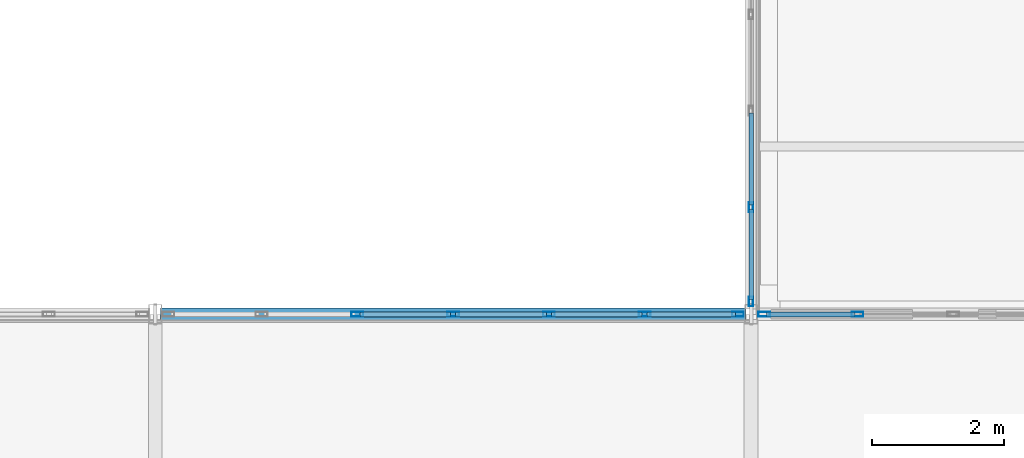
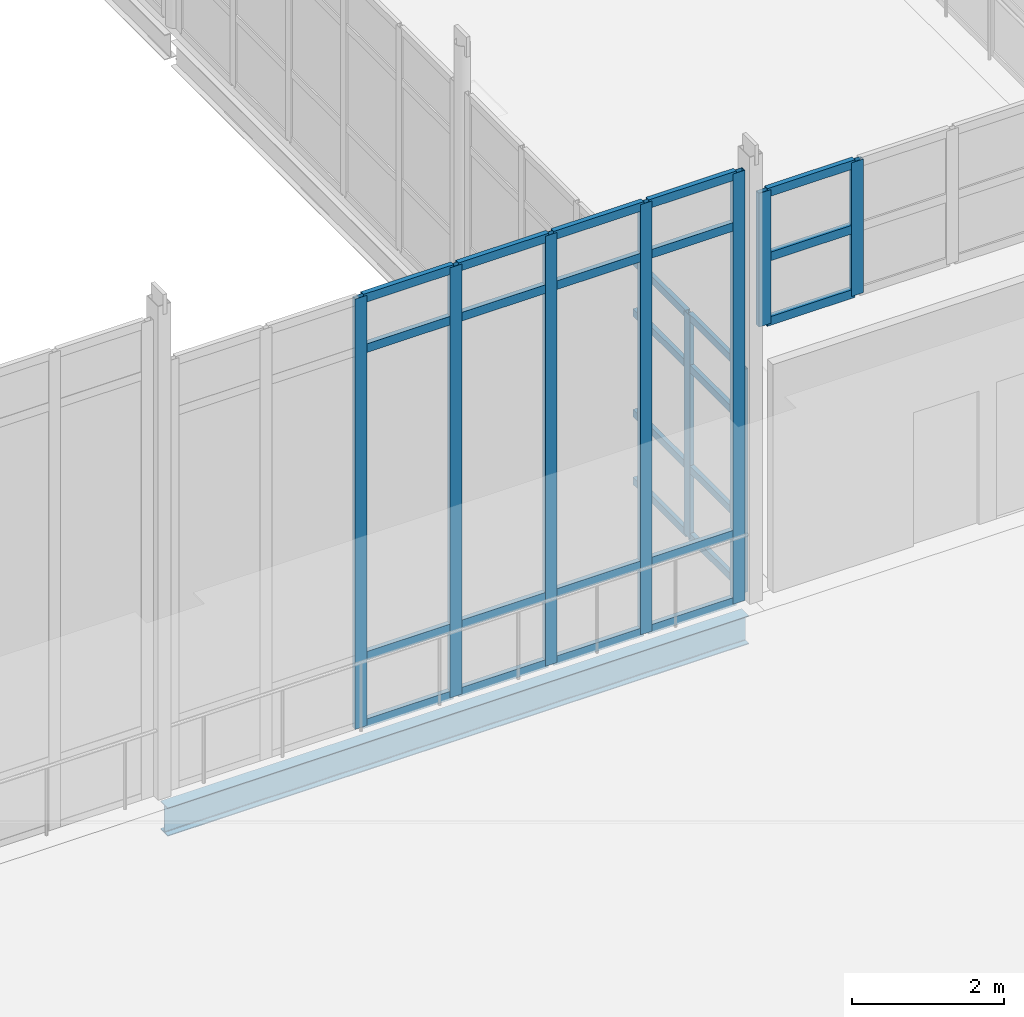
# One storey, part 54 of 166: 36 members, 1 beam, 3 elements without a shape of their own.
"""IFC4 building model written with IfcOpenShell, lengths in metres."""

import ifcopenshell
import ifcopenshell.guid

model = None  # the IFC model being written
_history = None  # IfcOwnerHistory: only IFC2X3 demands one
_inside = {}  # id of a spatial element -> (the spatial element, [elements in it])
_under = {}  # id of a project, library or spatial element -> (it, [spatial elements below it])
_declared = {}  # id of a project -> (the project, [libraries it declares])
_typed = {}  # id of a type object -> (the type object, [elements of that type])
_made_of = {}  # id of a material, layer set ... -> (it, [elements and type objects made of it])


def new_model(schema):
    """Start an empty IFC model of exactly this schema.

    Asked for "IFC4X3", IfcOpenShell would pick the latest addendum, in which some entities
    have other attributes; the version numbers below select the first issue.
    IFC2X3 requires an IfcOwnerHistory on every rooted entity: one is made here for all.
    """
    global model, _history
    if schema == "IFC4X3":
        model = ifcopenshell.file(schema_version=(4, 3, 0, 0))
    else:
        model = ifcopenshell.file(schema=schema)
    _inside.clear()
    _under.clear()
    _declared.clear()
    _typed.clear()
    _made_of.clear()
    _history = None
    if model.schema == "IFC2X3":
        org = make("IfcOrganization", Name="unknown")
        user = make(
            "IfcPersonAndOrganization",
            ThePerson=make("IfcPerson", FamilyName="unknown"),
            TheOrganization=org,
        )
        app = make(
            "IfcApplication",
            ApplicationDeveloper=org,
            Version="unknown",
            ApplicationFullName="unknown",
            ApplicationIdentifier="unknown",
        )
        _history = make(
            "IfcOwnerHistory",
            OwningUser=user,
            OwningApplication=app,
            ChangeAction="ADDED",
            CreationDate=0,
        )
    return model


def make(cls, **values):
    """One entity of the class cls with the attributes given. An attribute that is None is left unset."""
    return model.create_entity(
        cls, **{name: value for name, value in values.items() if value is not None}
    )


def rooted(cls, **values):
    """An entity with a GlobalId (a new one), such as an element, a storey or a relation."""
    return make(cls, GlobalId=ifcopenshell.guid.new(), OwnerHistory=_history, **values)


def si_unit(unit_type, name, prefix=None):
    """IfcSIUnit, for example si_unit("LENGTHUNIT", "METRE", prefix="MILLI")."""
    return make("IfcSIUnit", UnitType=unit_type, Prefix=prefix, Name=name)


def assignment(units):
    """IfcUnitAssignment: the units of a project."""
    return None if units is None else make("IfcUnitAssignment", Units=units)


def point(xyz):
    """IfcCartesianPoint."""
    return None if xyz is None else make("IfcCartesianPoint", Coordinates=xyz)


def direction(xyz):
    """IfcDirection."""
    return None if xyz is None else make("IfcDirection", DirectionRatios=xyz)


def frame(location, z_axis=None, x_axis=None):
    """IfcAxis2Placement3D, a coordinate frame: its origin and axes. An axis left out is left unset."""
    return make(
        "IfcAxis2Placement3D",
        Location=point(location),
        Axis=direction(z_axis),
        RefDirection=direction(x_axis),
    )


def frame_2d(location, x_axis=None):
    """IfcAxis2Placement2D, a coordinate frame in the plane: its origin and x axis."""
    return make(
        "IfcAxis2Placement2D", Location=point(location), RefDirection=direction(x_axis)
    )


def origin():
    """The frame at (0, 0, 0) with its axes left unset."""
    return frame((0.0, 0.0, 0.0))


def origin_2d():
    """The frame at (0, 0) in the plane with its x axis left unset."""
    return frame_2d((0.0, 0.0))


def place(relative_to, where):
    """IfcLocalPlacement: puts the frame where relative to a parent placement (None: the world)."""
    return make(
        "IfcLocalPlacement", PlacementRelTo=relative_to, RelativePlacement=where
    )


def context(
    kind, dimensions, precision=None, world=None, true_north=None, identifier=None
):
    """IfcGeometricRepresentationContext, for example the 3D "Model" context."""
    return make(
        "IfcGeometricRepresentationContext",
        ContextIdentifier=identifier,
        ContextType=kind,
        CoordinateSpaceDimension=dimensions,
        Precision=precision,
        WorldCoordinateSystem=world,
        TrueNorth=true_north,
    )


def subcontext(parent, identifier, kind, view, scale=None):
    """IfcGeometricRepresentationSubContext, for example "Body" below "Model"."""
    return make(
        "IfcGeometricRepresentationSubContext",
        ContextIdentifier=identifier,
        ContextType=kind,
        ParentContext=parent,
        TargetScale=scale,
        TargetView=view,
    )


def project(units=None, contexts=None):
    """IfcProject with its units and contexts."""
    return rooted(
        "IfcProject",
        Name="project",
        RepresentationContexts=contexts,
        UnitsInContext=assignment(units),
    )


def spatial(cls, under=None, at=None, **own):
    """A site, building, storey or space (cls), placed at a placement, below another one or the project."""
    s = rooted(cls, ObjectPlacement=at, **own)
    if under is not None:
        _under.setdefault(under.id(), (under, []))[1].append(s)
    return s


def profile(cls, at=None, kind="AREA", **sizes):
    """A parametric profile (cls). Its sizes go by their IFC names, for example OverallWidth=200.0."""
    return make(cls, ProfileType=kind, Position=at, **sizes)


def hollow_rectangle(**sizes):
    """IfcRectangleHollowProfileDef."""
    return profile("IfcRectangleHollowProfileDef", **sizes)


def i_section(**sizes):
    """IfcIShapeProfileDef."""
    return profile("IfcIShapeProfileDef", **sizes)


def extrude(swept, where, along, depth):
    """IfcExtrudedAreaSolid: the profile swept, set in the frame where, extruded along a direction by depth."""
    return make(
        "IfcExtrudedAreaSolid",
        SweptArea=swept,
        Position=where,
        ExtrudedDirection=direction(along),
        Depth=depth,
    )


def shape(context_of_items, identifier, shape_type, items):
    """IfcShapeRepresentation: the items that make up one representation, for example the "Body"."""
    return make(
        "IfcShapeRepresentation",
        ContextOfItems=context_of_items,
        RepresentationIdentifier=identifier,
        RepresentationType=shape_type,
        Items=items,
    )


def material(Name=None, Category=None):
    """IfcMaterial."""
    return make("IfcMaterial", Name=Name, Category=Category)


def material_profile(
    of_material, cross_section, Name=None, Category=None, Priority=None
):
    """IfcMaterialProfile: a cross section and its material."""
    return make(
        "IfcMaterialProfile",
        Name=Name,
        Material=of_material,
        Profile=cross_section,
        Priority=Priority,
        Category=Category,
    )


def profile_set(profiles, Name=None, composite=None):
    """IfcMaterialProfileSet."""
    return make(
        "IfcMaterialProfileSet",
        Name=Name,
        MaterialProfiles=profiles,
        CompositeProfile=composite,
    )


def made_of(thing, what):
    """Note that an element or type object is made of a material, layer set ...; save() writes the relation."""
    if what is not None:
        _made_of.setdefault(what.id(), (what, []))[1].append(thing)
    return thing


def type_object(cls, material=None, **own):
    """A type object (cls), such as IfcWallType, which elements share."""
    return made_of(rooted(cls, **own), material)


def element(
    cls,
    number,
    at=None,
    inside=None,
    cuts=None,
    type_object=None,
    material=None,
    context=None,
    identifier="Body",
    shape_type=None,
    held_by="IfcProductDefinitionShape",
    body=None,
    shapes=None,
    **own,
):
    """One element of the class cls, such as IfcWall. Its Tag is "e" and its number.

    at: its placement. inside: the storey or other place that contains it. cuts: it is an
    opening in that element (IfcRelVoidsElement). A single representation is given by context,
    identifier, shape_type and body (its items); several are given by shapes. held_by: the class
    of the entity that holds the representations. save() writes the other relations.
    """
    e = rooted(cls, Tag="e%d" % number, ObjectPlacement=at, **own)
    if body is not None:
        shapes = [shape(context, identifier, shape_type, body)]
    if shapes is not None:
        e.Representation = make(held_by, Representations=shapes)
    if inside is not None:
        _inside.setdefault(inside.id(), (inside, []))[1].append(e)
    if cuts is not None:
        rooted(
            "IfcRelVoidsElement", RelatingBuildingElement=cuts, RelatedOpeningElement=e
        )
    if type_object is not None:
        _typed.setdefault(type_object.id(), (type_object, []))[1].append(e)
    return made_of(e, material)


def aggregate(whole, parts):
    """IfcRelAggregates: a whole, such as a stair, and the parts it consists of."""
    return rooted("IfcRelAggregates", RelatingObject=whole, RelatedObjects=parts)


def save(model, path):
    """Write the relations noted so far, then the file.

    IfcRelAggregates (storeys below a building ...), IfcRelContainedInSpatialStructure (elements
    in a storey), IfcRelDefinesByType, IfcRelAssociatesMaterial and IfcRelDeclares: one each for
    every whole, place, type object, material and project.
    """
    for whole, parts in _under.values():
        aggregate(whole, parts)
    for where, things in _inside.values():
        rooted(
            "IfcRelContainedInSpatialStructure",
            RelatedElements=things,
            RelatingStructure=where,
        )
    for kind, things in _typed.values():
        rooted("IfcRelDefinesByType", RelatedObjects=things, RelatingType=kind)
    for what, things in _made_of.values():
        rooted("IfcRelAssociatesMaterial", RelatedObjects=things, RelatingMaterial=what)
    for by, libraries in _declared.values():
        rooted("IfcRelDeclares", RelatingContext=by, RelatedDefinitions=libraries)
    model.write(path)


model = new_model("IFC4")

# Units and contexts
model_context = context("Model", 3, precision=1e-05, world=origin(), true_north=direction((0.0, 1.0)))
body_context = subcontext(model_context, "Body", "Model", "MODEL_VIEW")
ifc_project = project(units=[si_unit("LENGTHUNIT", "METRE"), si_unit("AREAUNIT", "SQUARE_METRE"), si_unit("VOLUMEUNIT", "CUBIC_METRE"), si_unit("PLANEANGLEUNIT", "RADIAN"), si_unit("MASSUNIT", "GRAM", prefix="KILO")], contexts=[model_context])

# Site, building, storey
site_placement = place(None, origin())
site = spatial("IfcSite", under=ifc_project, at=site_placement, CompositionType="ELEMENT")
building_placement = place(site_placement, origin())
building = spatial("IfcBuilding", under=site, at=building_placement, Name="Caisbarro Railhouse Central Library", CompositionType="ELEMENT")
storey_placement = place(building_placement, frame((0.0, 0.0, 9.360107421875)))
storey = spatial("IfcBuildingStorey", under=building, at=storey_placement, Name="L02", CompositionType="ELEMENT", Elevation=9.360107421875)

# Beam
ifc_material_1 = material(Name="Steel ASTM A572 Grade 50", Category="steel")
ifc_material_profile_1 = material_profile(ifc_material_1, i_section(OverallWidth=0.18994140625, OverallDepth=0.45703125, WebThickness=0.009033203125, FlangeThickness=0.014404296875, FilletRadius=0.01806640625, at=origin_2d()), Name="W460X74.0")
ifc_profile_set_1 = profile_set([ifc_material_profile_1], Name="Steel ASTM A572 Grade 50")
beam_type = type_object("IfcBeamType", Name="BM-SP01", PredefinedType="SPANDREL", material=ifc_profile_set_1)
beam_placement = place(storey_placement, frame((45.080078125, 60.800048828125, -0.448486328125), z_axis=(1.0, 0.0, 0.0), x_axis=(0.0, 1.0, 0.0)))
element("IfcBeam", 1, at=beam_placement, inside=storey, type_object=beam_type, Name="SP01 beam L02 #1385", PredefinedType="SPANDREL", context=body_context, shape_type="SweptSolid", body=[
    extrude(i_section(OverallWidth=0.18994140625, OverallDepth=0.45703125, WebThickness=0.009033203125, FlangeThickness=0.014404296875, FilletRadius=0.01806640625, at=origin_2d()), origin(), (0.0, 0.0, 1.0), 8.83984375),
])

# Curtain wall, members
ifc_material_2 = material(Name="Anodised architectural aluminium", Category="aluminium")
curtain_wall_type_1 = type_object("IfcCurtainWallType", Name="CW-CW04", PredefinedType="NOTDEFINED", material=ifc_material_2)
curtain_wall_1_placement = place(storey_placement, origin())
curtain_wall_1 = element("IfcCurtainWall", 2, at=curtain_wall_1_placement, inside=storey, type_object=curtain_wall_type_1, Name="CW04 curtain wall L02 #16", PredefinedType="NOTDEFINED")
ifc_material_profile_2 = material_profile(ifc_material_2, hollow_rectangle(XDim=0.074951171875, YDim=0.179931640625, WallThickness=0.00439453125, at=origin_2d()), Name="ALU-MUL-75X180")
ifc_profile_set_2 = profile_set([ifc_material_profile_2], Name="Anodised architectural aluminium")
member_type_1 = type_object("IfcMemberType", Name="CWM-M01", PredefinedType="MULLION", material=ifc_profile_set_2)
member_1_placement = place(storey_placement, frame((48.05322265625, 60.800048828125, 0.0), z_axis=(0.0, 0.0, 1.0), x_axis=(0.0, 1.0, 0.0)))
member_1 = element("IfcMember", 3, at=member_1_placement, type_object=member_type_1, Name="CW04 mullion 3", PredefinedType="MULLION", context=body_context, shape_type="SweptSolid", body=[
    extrude(hollow_rectangle(XDim=0.074951171875, YDim=0.179931640625, WallThickness=0.00439453125, at=origin_2d()), origin(), (0.0, 0.0, 1.0), 6.919921875),
])
member_2_placement = place(storey_placement, frame((49.5, 60.800048828125, 0.0), z_axis=(0.0, 0.0, 1.0), x_axis=(0.0, 1.0, 0.0)))
member_2 = element("IfcMember", 4, at=member_2_placement, type_object=member_type_1, Name="CW04 mullion 4", PredefinedType="MULLION", context=body_context, shape_type="SweptSolid", body=[
    extrude(hollow_rectangle(XDim=0.074951171875, YDim=0.179931640625, WallThickness=0.00439453125, at=origin_2d()), origin(), (0.0, 0.0, 1.0), 6.919921875),
])
member_3_placement = place(storey_placement, frame((50.94677734375, 60.800048828125, 0.0), z_axis=(0.0, 0.0, 1.0), x_axis=(0.0, 1.0, 0.0)))
member_3 = element("IfcMember", 5, at=member_3_placement, type_object=member_type_1, Name="CW04 mullion 5", PredefinedType="MULLION", context=body_context, shape_type="SweptSolid", body=[
    extrude(hollow_rectangle(XDim=0.074951171875, YDim=0.179931640625, WallThickness=0.00439453125, at=origin_2d()), origin(), (0.0, 0.0, 1.0), 6.919921875),
])
member_4_placement = place(storey_placement, frame((52.393310546875, 60.800048828125, 0.0), z_axis=(0.0, 0.0, 1.0), x_axis=(0.0, 1.0, 0.0)))
member_4 = element("IfcMember", 6, at=member_4_placement, type_object=member_type_1, Name="CW04 mullion 6", PredefinedType="MULLION", context=body_context, shape_type="SweptSolid", body=[
    extrude(hollow_rectangle(XDim=0.074951171875, YDim=0.179931640625, WallThickness=0.00439453125, at=origin_2d()), origin(), (0.0, 0.0, 1.0), 6.919921875),
])
member_5_placement = place(storey_placement, frame((53.802490234375, 60.800048828125, 0.0), z_axis=(0.0, 0.0, 1.0), x_axis=(0.0, 1.0, 0.0)))
member_5 = element("IfcMember", 7, at=member_5_placement, type_object=member_type_1, Name="CW04 mullion 7", PredefinedType="MULLION", context=body_context, shape_type="SweptSolid", body=[
    extrude(hollow_rectangle(XDim=0.074951171875, YDim=0.179931640625, WallThickness=0.00439453125, at=origin_2d()), origin(), (0.0, 0.0, 1.0), 6.919921875),
])

curtain_wall_2_placement = place(storey_placement, origin())
curtain_wall_2 = element("IfcCurtainWall", 8, at=curtain_wall_2_placement, inside=storey, type_object=curtain_wall_type_1, Name="CW04 curtain wall L02 #18", PredefinedType="NOTDEFINED")
member_6_placement = place(storey_placement, frame((54.197509765625, 60.800048828125, 4.31982421875), z_axis=(0.0, 0.0, 1.0), x_axis=(0.0, 1.0, 0.0)))
member_6 = element("IfcMember", 9, at=member_6_placement, type_object=member_type_1, Name="CW04 mullion 1", PredefinedType="MULLION", context=body_context, shape_type="SweptSolid", body=[
    extrude(hollow_rectangle(XDim=0.074951171875, YDim=0.179931640625, WallThickness=0.00439453125, at=origin_2d()), origin(), (0.0, 0.0, 1.0), 2.150146484375),
])
member_7_placement = place(storey_placement, frame((55.606689453125, 60.800048828125, 4.31982421875), z_axis=(0.0, 0.0, 1.0), x_axis=(0.0, 1.0, 0.0)))
member_7 = element("IfcMember", 10, at=member_7_placement, type_object=member_type_1, Name="CW04 mullion 2", PredefinedType="MULLION", context=body_context, shape_type="SweptSolid", body=[
    extrude(hollow_rectangle(XDim=0.074951171875, YDim=0.179931640625, WallThickness=0.00439453125, at=origin_2d()), origin(), (0.0, 0.0, 1.0), 2.150146484375),
])

curtain_wall_type_2 = type_object("IfcCurtainWallType", Name="CW-CW03", PredefinedType="NOTDEFINED", material=ifc_material_2)
curtain_wall_3_placement = place(storey_placement, origin())
curtain_wall_3 = element("IfcCurtainWall", 11, at=curtain_wall_3_placement, inside=storey, type_object=curtain_wall_type_2, Name="CW03 curtain wall L02 #202", PredefinedType="NOTDEFINED")
ifc_material_profile_3 = material_profile(ifc_material_2, hollow_rectangle(XDim=0.06494140625, YDim=0.14990234375, WallThickness=0.00390625, at=origin_2d()), Name="ALU-MUL-65X150")
ifc_profile_set_3 = profile_set([ifc_material_profile_3], Name="Anodised architectural aluminium")
member_type_2 = type_object("IfcMemberType", Name="CWM-M02", PredefinedType="MULLION", material=ifc_profile_set_3)
member_8_placement = place(storey_placement, frame((54.0, 60.992431640625, 0.0), z_axis=(0.0, 0.0, 1.0), x_axis=(-1.0, 0.0, 0.0)))
member_8 = element("IfcMember", 12, at=member_8_placement, type_object=member_type_2, Name="CW03 mullion 1", PredefinedType="MULLION", context=body_context, shape_type="SweptSolid", body=[
    extrude(hollow_rectangle(XDim=0.06494140625, YDim=0.14990234375, WallThickness=0.00390625, at=origin_2d()), origin(), (0.0, 0.0, 1.0), 3.58984375),
])
member_9_placement = place(storey_placement, frame((54.0, 62.416015625, 0.0), z_axis=(0.0, 0.0, 1.0), x_axis=(-1.0, 0.0, 0.0)))
member_9 = element("IfcMember", 13, at=member_9_placement, type_object=member_type_2, Name="CW03 mullion 2", PredefinedType="MULLION", context=body_context, shape_type="SweptSolid", body=[
    extrude(hollow_rectangle(XDim=0.06494140625, YDim=0.14990234375, WallThickness=0.00390625, at=origin_2d()), origin(), (0.0, 0.0, 1.0), 3.58984375),
])

# Member
ifc_material_profile_4 = material_profile(ifc_material_2, hollow_rectangle(XDim=0.074951171875, YDim=0.139892578125, WallThickness=0.00390625, at=origin_2d()), Name="ALU-TRN-75X140")
ifc_profile_set_4 = profile_set([ifc_material_profile_4], Name="Anodised architectural aluminium")
member_type_3 = type_object("IfcMemberType", Name="CWT-T01", PredefinedType="USERDEFINED", material=ifc_profile_set_4)
member_10_placement = place(storey_placement, frame((48.0908203125, 60.800048828125, 0.037353515625), z_axis=(1.0, 0.0, 0.0), x_axis=(0.0, 1.0, 0.0)))
member_10 = element("IfcMember", 14, at=member_10_placement, type_object=member_type_3, Name="CW04 transom 3.1", ObjectType="TRANSOM", PredefinedType="USERDEFINED", context=body_context, shape_type="SweptSolid", body=[
    extrude(hollow_rectangle(XDim=0.074951171875, YDim=0.139892578125, WallThickness=0.00390625, at=origin_2d()), origin(), (0.0, 0.0, 1.0), 1.37158203125),
])

member_11_placement = place(storey_placement, frame((48.0908203125, 60.800048828125, 1.119873046875), z_axis=(1.0, 0.0, 0.0), x_axis=(0.0, 1.0, 0.0)))
member_11 = element("IfcMember", 15, at=member_11_placement, type_object=member_type_3, Name="CW04 transom 3.2", ObjectType="TRANSOM", PredefinedType="USERDEFINED", context=body_context, shape_type="SweptSolid", body=[
    extrude(hollow_rectangle(XDim=0.074951171875, YDim=0.139892578125, WallThickness=0.00390625, at=origin_2d()), origin(), (0.0, 0.0, 1.0), 1.37158203125),
])

member_12_placement = place(storey_placement, frame((48.0908203125, 60.800048828125, 6.06982421875), z_axis=(1.0, 0.0, 0.0), x_axis=(0.0, 1.0, 0.0)))
member_12 = element("IfcMember", 16, at=member_12_placement, type_object=member_type_3, Name="CW04 transom 3.3", ObjectType="TRANSOM", PredefinedType="USERDEFINED", context=body_context, shape_type="SweptSolid", body=[
    extrude(hollow_rectangle(XDim=0.074951171875, YDim=0.139892578125, WallThickness=0.00390625, at=origin_2d()), origin(), (0.0, 0.0, 1.0), 1.37158203125),
])

member_13_placement = place(storey_placement, frame((48.0908203125, 60.800048828125, 6.88232421875), z_axis=(1.0, 0.0, 0.0), x_axis=(0.0, 1.0, 0.0)))
member_13 = element("IfcMember", 17, at=member_13_placement, type_object=member_type_3, Name="CW04 transom 3.4", ObjectType="TRANSOM", PredefinedType="USERDEFINED", context=body_context, shape_type="SweptSolid", body=[
    extrude(hollow_rectangle(XDim=0.074951171875, YDim=0.139892578125, WallThickness=0.00390625, at=origin_2d()), origin(), (0.0, 0.0, 1.0), 1.37158203125),
])

member_14_placement = place(storey_placement, frame((49.53759765625, 60.800048828125, 0.037353515625), z_axis=(1.0, 0.0, 0.0), x_axis=(0.0, 1.0, 0.0)))
member_14 = element("IfcMember", 18, at=member_14_placement, type_object=member_type_3, Name="CW04 transom 4.1", ObjectType="TRANSOM", PredefinedType="USERDEFINED", context=body_context, shape_type="SweptSolid", body=[
    extrude(hollow_rectangle(XDim=0.074951171875, YDim=0.139892578125, WallThickness=0.00390625, at=origin_2d()), origin(), (0.0, 0.0, 1.0), 1.37158203125),
])

member_15_placement = place(storey_placement, frame((49.53759765625, 60.800048828125, 1.119873046875), z_axis=(1.0, 0.0, 0.0), x_axis=(0.0, 1.0, 0.0)))
member_15 = element("IfcMember", 19, at=member_15_placement, type_object=member_type_3, Name="CW04 transom 4.2", ObjectType="TRANSOM", PredefinedType="USERDEFINED", context=body_context, shape_type="SweptSolid", body=[
    extrude(hollow_rectangle(XDim=0.074951171875, YDim=0.139892578125, WallThickness=0.00390625, at=origin_2d()), origin(), (0.0, 0.0, 1.0), 1.37158203125),
])

member_16_placement = place(storey_placement, frame((49.53759765625, 60.800048828125, 6.06982421875), z_axis=(1.0, 0.0, 0.0), x_axis=(0.0, 1.0, 0.0)))
member_16 = element("IfcMember", 20, at=member_16_placement, type_object=member_type_3, Name="CW04 transom 4.3", ObjectType="TRANSOM", PredefinedType="USERDEFINED", context=body_context, shape_type="SweptSolid", body=[
    extrude(hollow_rectangle(XDim=0.074951171875, YDim=0.139892578125, WallThickness=0.00390625, at=origin_2d()), origin(), (0.0, 0.0, 1.0), 1.37158203125),
])

member_17_placement = place(storey_placement, frame((49.53759765625, 60.800048828125, 6.88232421875), z_axis=(1.0, 0.0, 0.0), x_axis=(0.0, 1.0, 0.0)))
member_17 = element("IfcMember", 21, at=member_17_placement, type_object=member_type_3, Name="CW04 transom 4.4", ObjectType="TRANSOM", PredefinedType="USERDEFINED", context=body_context, shape_type="SweptSolid", body=[
    extrude(hollow_rectangle(XDim=0.074951171875, YDim=0.139892578125, WallThickness=0.00390625, at=origin_2d()), origin(), (0.0, 0.0, 1.0), 1.37158203125),
])

member_18_placement = place(storey_placement, frame((50.984130859375, 60.800048828125, 0.037353515625), z_axis=(1.0, 0.0, 0.0), x_axis=(0.0, 1.0, 0.0)))
member_18 = element("IfcMember", 22, at=member_18_placement, type_object=member_type_3, Name="CW04 transom 5.1", ObjectType="TRANSOM", PredefinedType="USERDEFINED", context=body_context, shape_type="SweptSolid", body=[
    extrude(hollow_rectangle(XDim=0.074951171875, YDim=0.139892578125, WallThickness=0.00390625, at=origin_2d()), origin(), (0.0, 0.0, 1.0), 1.37158203125),
])

member_19_placement = place(storey_placement, frame((50.984130859375, 60.800048828125, 1.119873046875), z_axis=(1.0, 0.0, 0.0), x_axis=(0.0, 1.0, 0.0)))
member_19 = element("IfcMember", 23, at=member_19_placement, type_object=member_type_3, Name="CW04 transom 5.2", ObjectType="TRANSOM", PredefinedType="USERDEFINED", context=body_context, shape_type="SweptSolid", body=[
    extrude(hollow_rectangle(XDim=0.074951171875, YDim=0.139892578125, WallThickness=0.00390625, at=origin_2d()), origin(), (0.0, 0.0, 1.0), 1.37158203125),
])

member_20_placement = place(storey_placement, frame((50.984130859375, 60.800048828125, 6.06982421875), z_axis=(1.0, 0.0, 0.0), x_axis=(0.0, 1.0, 0.0)))
member_20 = element("IfcMember", 24, at=member_20_placement, type_object=member_type_3, Name="CW04 transom 5.3", ObjectType="TRANSOM", PredefinedType="USERDEFINED", context=body_context, shape_type="SweptSolid", body=[
    extrude(hollow_rectangle(XDim=0.074951171875, YDim=0.139892578125, WallThickness=0.00390625, at=origin_2d()), origin(), (0.0, 0.0, 1.0), 1.37158203125),
])

member_21_placement = place(storey_placement, frame((50.984130859375, 60.800048828125, 6.88232421875), z_axis=(1.0, 0.0, 0.0), x_axis=(0.0, 1.0, 0.0)))
member_21 = element("IfcMember", 25, at=member_21_placement, type_object=member_type_3, Name="CW04 transom 5.4", ObjectType="TRANSOM", PredefinedType="USERDEFINED", context=body_context, shape_type="SweptSolid", body=[
    extrude(hollow_rectangle(XDim=0.074951171875, YDim=0.139892578125, WallThickness=0.00390625, at=origin_2d()), origin(), (0.0, 0.0, 1.0), 1.37158203125),
])

member_22_placement = place(storey_placement, frame((52.430908203125, 60.800048828125, 0.037353515625), z_axis=(1.0, 0.0, 0.0), x_axis=(0.0, 1.0, 0.0)))
member_22 = element("IfcMember", 26, at=member_22_placement, type_object=member_type_3, Name="CW04 transom 6.1", ObjectType="TRANSOM", PredefinedType="USERDEFINED", context=body_context, shape_type="SweptSolid", body=[
    extrude(hollow_rectangle(XDim=0.074951171875, YDim=0.139892578125, WallThickness=0.00390625, at=origin_2d()), origin(), (0.0, 0.0, 1.0), 1.333984375),
])

member_23_placement = place(storey_placement, frame((52.430908203125, 60.800048828125, 1.119873046875), z_axis=(1.0, 0.0, 0.0), x_axis=(0.0, 1.0, 0.0)))
member_23 = element("IfcMember", 27, at=member_23_placement, type_object=member_type_3, Name="CW04 transom 6.2", ObjectType="TRANSOM", PredefinedType="USERDEFINED", context=body_context, shape_type="SweptSolid", body=[
    extrude(hollow_rectangle(XDim=0.074951171875, YDim=0.139892578125, WallThickness=0.00390625, at=origin_2d()), origin(), (0.0, 0.0, 1.0), 1.333984375),
])

member_24_placement = place(storey_placement, frame((52.430908203125, 60.800048828125, 6.06982421875), z_axis=(1.0, 0.0, 0.0), x_axis=(0.0, 1.0, 0.0)))
member_24 = element("IfcMember", 28, at=member_24_placement, type_object=member_type_3, Name="CW04 transom 6.3", ObjectType="TRANSOM", PredefinedType="USERDEFINED", context=body_context, shape_type="SweptSolid", body=[
    extrude(hollow_rectangle(XDim=0.074951171875, YDim=0.139892578125, WallThickness=0.00390625, at=origin_2d()), origin(), (0.0, 0.0, 1.0), 1.333984375),
])

member_25_placement = place(storey_placement, frame((52.430908203125, 60.800048828125, 6.88232421875), z_axis=(1.0, 0.0, 0.0), x_axis=(0.0, 1.0, 0.0)))
member_25 = element("IfcMember", 29, at=member_25_placement, type_object=member_type_3, Name="CW04 transom 6.4", ObjectType="TRANSOM", PredefinedType="USERDEFINED", context=body_context, shape_type="SweptSolid", body=[
    extrude(hollow_rectangle(XDim=0.074951171875, YDim=0.139892578125, WallThickness=0.00390625, at=origin_2d()), origin(), (0.0, 0.0, 1.0), 1.333984375),
])

aggregate(curtain_wall_1, [member_1, member_2, member_3, member_4, member_5, member_10, member_11, member_12, member_13, member_14, member_15, member_16, member_17, member_18, member_19, member_20, member_21, member_22, member_23, member_24, member_25])

member_26_placement = place(storey_placement, frame((54.235107421875, 60.800048828125, 4.357421875), z_axis=(1.0, 0.0, 0.0), x_axis=(0.0, 1.0, 0.0)))
member_26 = element("IfcMember", 30, at=member_26_placement, type_object=member_type_3, Name="CW04 transom 1.1", ObjectType="TRANSOM", PredefinedType="USERDEFINED", context=body_context, shape_type="SweptSolid", body=[
    extrude(hollow_rectangle(XDim=0.074951171875, YDim=0.139892578125, WallThickness=0.00390625, at=origin_2d()), origin(), (0.0, 0.0, 1.0), 1.333984375),
])

member_27_placement = place(storey_placement, frame((54.235107421875, 60.800048828125, 5.394775390625), z_axis=(1.0, 0.0, 0.0), x_axis=(0.0, 1.0, 0.0)))
member_27 = element("IfcMember", 31, at=member_27_placement, type_object=member_type_3, Name="CW04 transom 1.2", ObjectType="TRANSOM", PredefinedType="USERDEFINED", context=body_context, shape_type="SweptSolid", body=[
    extrude(hollow_rectangle(XDim=0.074951171875, YDim=0.139892578125, WallThickness=0.00390625, at=origin_2d()), origin(), (0.0, 0.0, 1.0), 1.333984375),
])

member_28_placement = place(storey_placement, frame((54.235107421875, 60.800048828125, 6.432373046875), z_axis=(1.0, 0.0, 0.0), x_axis=(0.0, 1.0, 0.0)))
member_28 = element("IfcMember", 32, at=member_28_placement, type_object=member_type_3, Name="CW04 transom 1.3", ObjectType="TRANSOM", PredefinedType="USERDEFINED", context=body_context, shape_type="SweptSolid", body=[
    extrude(hollow_rectangle(XDim=0.074951171875, YDim=0.139892578125, WallThickness=0.00390625, at=origin_2d()), origin(), (0.0, 0.0, 1.0), 1.333984375),
])

aggregate(curtain_wall_2, [member_6, member_7, member_26, member_27, member_28])

ifc_material_profile_5 = material_profile(ifc_material_2, hollow_rectangle(XDim=0.06494140625, YDim=0.1201171875, WallThickness=0.00341796875, at=origin_2d()), Name="ALU-TRN-65X120")
ifc_profile_set_5 = profile_set([ifc_material_profile_5], Name="Anodised architectural aluminium")
member_type_4 = type_object("IfcMemberType", Name="CWT-T02", PredefinedType="USERDEFINED", material=ifc_profile_set_5)
member_29_placement = place(storey_placement, frame((54.0, 61.02490234375, 0.032470703125), z_axis=(0.0, 1.0, 0.0), x_axis=(-1.0, 0.0, 0.0)))
member_29 = element("IfcMember", 33, at=member_29_placement, type_object=member_type_4, Name="CW03 transom 1.1", ObjectType="TRANSOM", PredefinedType="USERDEFINED", context=body_context, shape_type="SweptSolid", body=[
    extrude(hollow_rectangle(XDim=0.06494140625, YDim=0.1201171875, WallThickness=0.00341796875, at=origin_2d()), origin(), (0.0, 0.0, 1.0), 1.358642578125),
])

member_30_placement = place(storey_placement, frame((54.0, 61.02490234375, 1.119873046875), z_axis=(0.0, 1.0, 0.0), x_axis=(-1.0, 0.0, 0.0)))
member_30 = element("IfcMember", 34, at=member_30_placement, type_object=member_type_4, Name="CW03 transom 1.2", ObjectType="TRANSOM", PredefinedType="USERDEFINED", context=body_context, shape_type="SweptSolid", body=[
    extrude(hollow_rectangle(XDim=0.06494140625, YDim=0.1201171875, WallThickness=0.00341796875, at=origin_2d()), origin(), (0.0, 0.0, 1.0), 1.358642578125),
])

member_31_placement = place(storey_placement, frame((54.0, 61.02490234375, 2.739990234375), z_axis=(0.0, 1.0, 0.0), x_axis=(-1.0, 0.0, 0.0)))
member_31 = element("IfcMember", 35, at=member_31_placement, type_object=member_type_4, Name="CW03 transom 1.3", ObjectType="TRANSOM", PredefinedType="USERDEFINED", context=body_context, shape_type="SweptSolid", body=[
    extrude(hollow_rectangle(XDim=0.06494140625, YDim=0.1201171875, WallThickness=0.00341796875, at=origin_2d()), origin(), (0.0, 0.0, 1.0), 1.358642578125),
])

member_32_placement = place(storey_placement, frame((54.0, 61.02490234375, 3.557373046875), z_axis=(0.0, 1.0, 0.0), x_axis=(-1.0, 0.0, 0.0)))
member_32 = element("IfcMember", 36, at=member_32_placement, type_object=member_type_4, Name="CW03 transom 1.4", ObjectType="TRANSOM", PredefinedType="USERDEFINED", context=body_context, shape_type="SweptSolid", body=[
    extrude(hollow_rectangle(XDim=0.06494140625, YDim=0.1201171875, WallThickness=0.00341796875, at=origin_2d()), origin(), (0.0, 0.0, 1.0), 1.358642578125),
])

member_33_placement = place(storey_placement, frame((54.0, 62.448486328125, 0.032470703125), z_axis=(0.0, 1.0, 0.0), x_axis=(-1.0, 0.0, 0.0)))
member_33 = element("IfcMember", 37, at=member_33_placement, type_object=member_type_4, Name="CW03 transom 2.1", ObjectType="TRANSOM", PredefinedType="USERDEFINED", context=body_context, shape_type="SweptSolid", body=[
    extrude(hollow_rectangle(XDim=0.06494140625, YDim=0.1201171875, WallThickness=0.00341796875, at=origin_2d()), origin(), (0.0, 0.0, 1.0), 1.39111328125),
])

member_34_placement = place(storey_placement, frame((54.0, 62.448486328125, 1.119873046875), z_axis=(0.0, 1.0, 0.0), x_axis=(-1.0, 0.0, 0.0)))
member_34 = element("IfcMember", 38, at=member_34_placement, type_object=member_type_4, Name="CW03 transom 2.2", ObjectType="TRANSOM", PredefinedType="USERDEFINED", context=body_context, shape_type="SweptSolid", body=[
    extrude(hollow_rectangle(XDim=0.06494140625, YDim=0.1201171875, WallThickness=0.00341796875, at=origin_2d()), origin(), (0.0, 0.0, 1.0), 1.39111328125),
])

member_35_placement = place(storey_placement, frame((54.0, 62.448486328125, 2.739990234375), z_axis=(0.0, 1.0, 0.0), x_axis=(-1.0, 0.0, 0.0)))
member_35 = element("IfcMember", 39, at=member_35_placement, type_object=member_type_4, Name="CW03 transom 2.3", ObjectType="TRANSOM", PredefinedType="USERDEFINED", context=body_context, shape_type="SweptSolid", body=[
    extrude(hollow_rectangle(XDim=0.06494140625, YDim=0.1201171875, WallThickness=0.00341796875, at=origin_2d()), origin(), (0.0, 0.0, 1.0), 1.39111328125),
])

member_36_placement = place(storey_placement, frame((54.0, 62.448486328125, 3.557373046875), z_axis=(0.0, 1.0, 0.0), x_axis=(-1.0, 0.0, 0.0)))
member_36 = element("IfcMember", 40, at=member_36_placement, type_object=member_type_4, Name="CW03 transom 2.4", ObjectType="TRANSOM", PredefinedType="USERDEFINED", context=body_context, shape_type="SweptSolid", body=[
    extrude(hollow_rectangle(XDim=0.06494140625, YDim=0.1201171875, WallThickness=0.00341796875, at=origin_2d()), origin(), (0.0, 0.0, 1.0), 1.39111328125),
])

aggregate(curtain_wall_3, [member_8, member_9, member_29, member_30, member_31, member_32, member_33, member_34, member_35, member_36])

save(model, "model.ifc")
